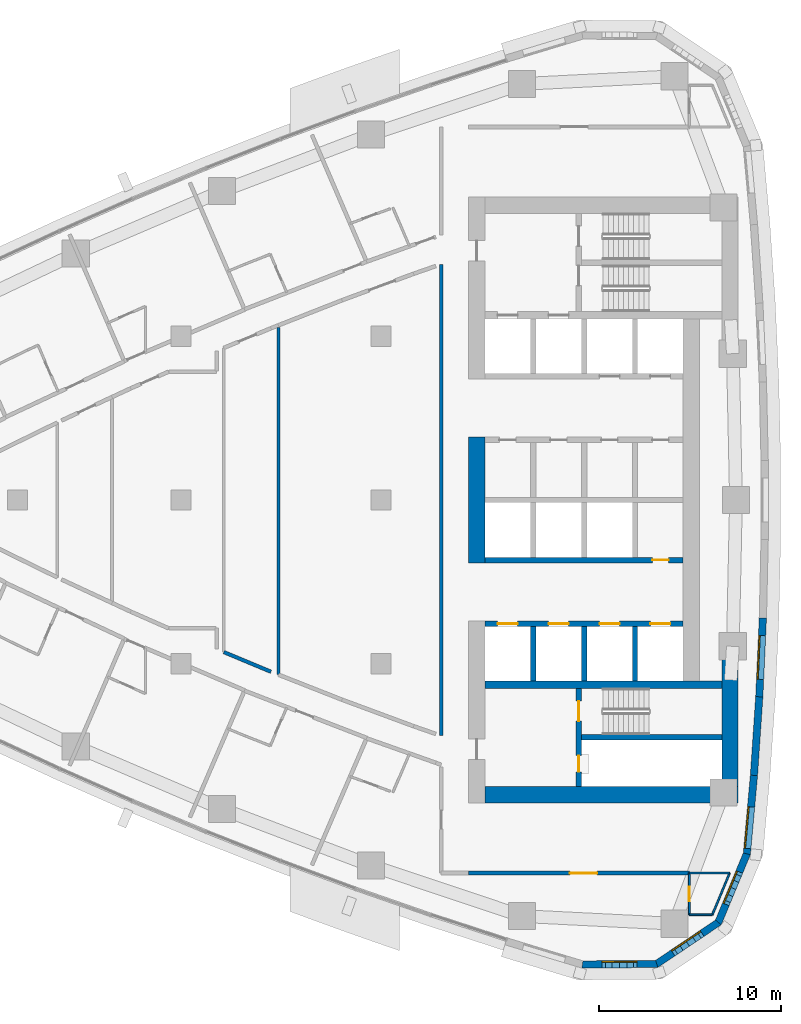
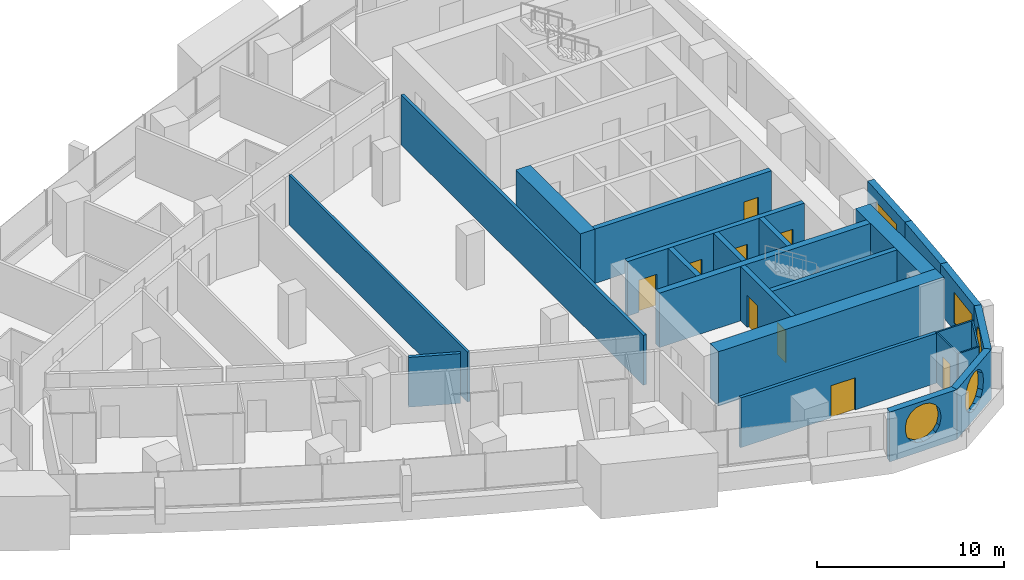
# One storey, part 10 of 17: 25 walls, 9 doors, 5 windows, 14 openings.
"""IFC4 building model written with IfcOpenShell, lengths in metres."""

from ifc_helpers import new_model, si_unit, direction, frame, frame_2d, origin, place, context, subcontext, project, spatial, polyline, rectangle, outline, extrude, material, layer, layer_set, type_object, element, fill, save


model = new_model("IFC4")

# Units and contexts
model_context = context("Model", 3, precision=1e-05, world=origin(), true_north=direction((0.0, 1.0)))
body_context = subcontext(model_context, "Body", "Model", "MODEL_VIEW")
ifc_project = project(units=[si_unit("LENGTHUNIT", "METRE"), si_unit("AREAUNIT", "SQUARE_METRE"), si_unit("VOLUMEUNIT", "CUBIC_METRE"), si_unit("PLANEANGLEUNIT", "RADIAN"), si_unit("MASSUNIT", "GRAM", prefix="KILO")], contexts=[model_context])

# Site, building, storey
site_placement = place(None, origin())
site = spatial("IfcSite", under=ifc_project, at=site_placement, CompositionType="ELEMENT")
building_placement = place(site_placement, origin())
building = spatial("IfcBuilding", under=site, at=building_placement, Name="Ostrand Prow Hotel Tower", CompositionType="ELEMENT")
storey_placement = place(building_placement, frame((0.0, 0.0, 137.300048828125)))
storey = spatial("IfcBuildingStorey", under=building, at=storey_placement, Name="L33", CompositionType="ELEMENT", Elevation=137.300048828125)

# Wall, opening, door
ifc_material_1 = material(Name="Concrete C70/85", Category="concrete")
ifc_layer_1 = layer(ifc_material_1, 0.300048828125)
ifc_layer_set_1 = layer_set([ifc_layer_1], Name="Concrete C70/85")
wall_type_1 = type_object("IfcWallType", Name="Core wall 300 C70/85", PredefinedType="SHEAR", material=ifc_layer_set_1)
wall_1_placement = place(storey_placement, frame((50.699951171875, -3.300048828125, 0.0), z_axis=(0.0, 0.0, 1.0), x_axis=(1.0, 0.0, 0.0)))
wall_1 = element("IfcWall", 1, at=wall_1_placement, inside=storey, type_object=wall_type_1, Name="Core wall PW-L1-S", PredefinedType="SHEAR", context=body_context, shape_type="SweptSolid", body=[
    extrude(rectangle(XDim=10.900146484375, YDim=0.300048828125, at=frame_2d((5.4501953125, 0.0))), origin(), (0.0, 0.0, 1.0), 3.550048828125),
])
opening_1_placement = place(wall_1_placement, frame((9.199951171875, 0.0, 0.0)))
opening_1 = element("IfcOpeningElement", 2, at=opening_1_placement, cuts=wall_1, Name="Opening FD2", PredefinedType="OPENING", context=body_context, shape_type="SweptSolid", body=[
    extrude(rectangle(XDim=0.89990234375, YDim=2.10009765625, at=frame_2d((0.449951171875, 1.050048828125))), frame((0.0, 0.159912109375, 0.0), z_axis=(0.0, -1.0, 0.0), x_axis=(1.0, 0.0, 0.0)), (0.0, 0.0, 1.0), 0.320068359375),
])
ifc_material_2 = material(Name="Steel fire door", Category="steel")
door_type_1 = type_object("IfcDoorType", Name="Fire door 900 EI120", OperationType="SINGLE_SWING_LEFT", PredefinedType="DOOR", material=ifc_material_2)
door_1_placement = place(opening_1_placement, origin())
door_1 = element("IfcDoor", 3, at=door_1_placement, inside=storey, type_object=door_type_1, Name="DOOR", OperationType="SINGLE_SWING_LEFT", OverallHeight=2.10009765625, OverallWidth=0.89990234375, PredefinedType="DOOR", context=body_context, shape_type="SweptSolid", body=[
    extrude(rectangle(XDim=0.89990234375, YDim=2.10009765625, at=frame_2d((0.449951171875, 1.050048828125))), frame((0.0, 0.02490234375, 0.0), z_axis=(0.0, -1.0, 0.0), x_axis=(1.0, 0.0, 0.0)), (0.0, 0.0, 1.0), 0.050048828125),
])
fill(opening_1, door_1)

# Wall, openings, doors
wall_2_placement = place(storey_placement, frame((50.699951171875, -6.800048828125, 0.0), z_axis=(0.0, 0.0, 1.0), x_axis=(1.0, 0.0, 0.0)))
wall_2 = element("IfcWall", 4, at=wall_2_placement, inside=storey, type_object=wall_type_1, Name="Core wall PW-L2-S", PredefinedType="SHEAR", context=body_context, shape_type="SweptSolid", body=[
    extrude(rectangle(XDim=10.900146484375, YDim=0.300048828125, at=frame_2d((5.4501953125, 0.0))), origin(), (0.0, 0.0, 1.0), 3.550048828125),
])
opening_2_placement = place(wall_2_placement, frame((0.699951171875, 0.0, 0.0)))
opening_2 = element("IfcOpeningElement", 5, at=opening_2_placement, cuts=wall_2, Name="Opening LD", PredefinedType="OPENING", context=body_context, shape_type="SweptSolid", body=[
    extrude(rectangle(XDim=1.10009765625, YDim=2.10009765625, at=frame_2d((0.550048828125, 1.050048828125))), frame((0.0, 0.159912109375, 0.0), z_axis=(0.0, -1.0, 0.0), x_axis=(1.0, 0.0, 0.0)), (0.0, 0.0, 1.0), 0.320068359375),
])
opening_3_placement = place(wall_2_placement, frame((3.5, 0.0, 0.0)))
opening_3 = element("IfcOpeningElement", 6, at=opening_3_placement, cuts=wall_2, Name="Opening LD", PredefinedType="OPENING", context=body_context, shape_type="SweptSolid", body=[
    extrude(rectangle(XDim=1.10009765625, YDim=2.10009765625, at=frame_2d((0.550048828125, 1.050048828125))), frame((0.0, 0.159912109375, 0.0), z_axis=(0.0, -1.0, 0.0), x_axis=(1.0, 0.0, 0.0)), (0.0, 0.0, 1.0), 0.320068359375),
])
opening_4_placement = place(wall_2_placement, frame((6.300048828125, 0.0, 0.0)))
opening_4 = element("IfcOpeningElement", 7, at=opening_4_placement, cuts=wall_2, Name="Opening LD", PredefinedType="OPENING", context=body_context, shape_type="SweptSolid", body=[
    extrude(rectangle(XDim=1.10009765625, YDim=2.10009765625, at=frame_2d((0.550048828125, 1.050048828125))), frame((0.0, 0.159912109375, 0.0), z_axis=(0.0, -1.0, 0.0), x_axis=(1.0, 0.0, 0.0)), (0.0, 0.0, 1.0), 0.320068359375),
])
opening_5_placement = place(wall_2_placement, frame((9.10009765625, 0.0, 0.0)))
opening_5 = element("IfcOpeningElement", 8, at=opening_5_placement, cuts=wall_2, Name="Opening LD", PredefinedType="OPENING", context=body_context, shape_type="SweptSolid", body=[
    extrude(rectangle(XDim=1.10009765625, YDim=2.10009765625, at=frame_2d((0.550048828125, 1.050048828125))), frame((0.0, 0.159912109375, 0.0), z_axis=(0.0, -1.0, 0.0), x_axis=(1.0, 0.0, 0.0)), (0.0, 0.0, 1.0), 0.320068359375),
])
ifc_material_3 = material(Name="Stainless steel door", Category="steel")
door_type_2 = type_object("IfcDoorType", Name="Lift landing door 1100", OperationType="DOUBLE_DOOR_SLIDING", PredefinedType="DOOR", material=ifc_material_3)
door_2_placement = place(opening_2_placement, origin())
door_2 = element("IfcDoor", 9, at=door_2_placement, inside=storey, type_object=door_type_2, Name="LIFT LANDING DOOR", OperationType="DOUBLE_DOOR_SLIDING", OverallHeight=2.10009765625, OverallWidth=1.10009765625, PredefinedType="DOOR", context=body_context, shape_type="SweptSolid", body=[
    extrude(rectangle(XDim=1.10009765625, YDim=2.10009765625, at=frame_2d((0.550048828125, 1.050048828125))), frame((0.0, 0.02490234375, 0.0), z_axis=(0.0, -1.0, 0.0), x_axis=(1.0, 0.0, 0.0)), (0.0, 0.0, 1.0), 0.050048828125),
])
fill(opening_2, door_2)
door_3_placement = place(opening_3_placement, origin())
door_3 = element("IfcDoor", 10, at=door_3_placement, inside=storey, type_object=door_type_2, Name="LIFT LANDING DOOR", OperationType="DOUBLE_DOOR_SLIDING", OverallHeight=2.10009765625, OverallWidth=1.10009765625, PredefinedType="DOOR", context=body_context, shape_type="SweptSolid", body=[
    extrude(rectangle(XDim=1.10009765625, YDim=2.10009765625, at=frame_2d((0.550048828125, 1.050048828125))), frame((0.0, 0.02490234375, 0.0), z_axis=(0.0, -1.0, 0.0), x_axis=(1.0, 0.0, 0.0)), (0.0, 0.0, 1.0), 0.050048828125),
])
fill(opening_3, door_3)
door_4_placement = place(opening_4_placement, origin())
door_4 = element("IfcDoor", 11, at=door_4_placement, inside=storey, type_object=door_type_2, Name="LIFT LANDING DOOR", OperationType="DOUBLE_DOOR_SLIDING", OverallHeight=2.10009765625, OverallWidth=1.10009765625, PredefinedType="DOOR", context=body_context, shape_type="SweptSolid", body=[
    extrude(rectangle(XDim=1.10009765625, YDim=2.10009765625, at=frame_2d((0.550048828125, 1.050048828125))), frame((0.0, 0.02490234375, 0.0), z_axis=(0.0, -1.0, 0.0), x_axis=(1.0, 0.0, 0.0)), (0.0, 0.0, 1.0), 0.050048828125),
])
fill(opening_4, door_4)
door_5_placement = place(opening_5_placement, origin())
door_5 = element("IfcDoor", 12, at=door_5_placement, inside=storey, type_object=door_type_2, Name="LIFT LANDING DOOR", OperationType="DOUBLE_DOOR_SLIDING", OverallHeight=2.10009765625, OverallWidth=1.10009765625, PredefinedType="DOOR", context=body_context, shape_type="SweptSolid", body=[
    extrude(rectangle(XDim=1.10009765625, YDim=2.10009765625, at=frame_2d((0.550048828125, 1.050048828125))), frame((0.0, 0.02490234375, 0.0), z_axis=(0.0, -1.0, 0.0), x_axis=(1.0, 0.0, 0.0)), (0.0, 0.0, 1.0), 0.050048828125),
])
fill(opening_5, door_5)

# Walls
for number, where, z_axis, x_axis, name in (
    (13, (53.35009765625, -9.949951171875, 0.0), (0.0, 0.0, 1.0), (0.0, 1.0, 0.0), "Core wall PW-R1-SA"),
    (14, (56.14990234375, -9.949951171875, 0.0), (0.0, 0.0, 1.0), (0.0, 1.0, 0.0), "Core wall PW-R2-SA"),
    (15, (58.949951171875, -9.949951171875, 0.0), (0.0, 0.0, 1.0), (0.0, 1.0, 0.0), "Core wall PW-R3-SA"),
):
    element("IfcWall", number, at=place(storey_placement, frame(where, z_axis=z_axis, x_axis=x_axis)), inside=storey, type_object=wall_type_1, Name=name, PredefinedType="SHEAR", context=body_context, shape_type="SweptSolid", body=[
        extrude(rectangle(XDim=3.0, YDim=0.300048828125, at=frame_2d((1.5, 0.0))), origin(), (0.0, 0.0, 1.0), 3.550048828125),
    ])

# Wall, openings, doors
wall_3_placement = place(storey_placement, frame((55.85009765625, -15.75, 0.0), z_axis=(0.0, 0.0, 1.0), x_axis=(0.0, 1.0, 0.0)))
wall_3 = element("IfcWall", 16, at=wall_3_placement, inside=storey, type_object=wall_type_1, Name="Core wall PW-VS", PredefinedType="SHEAR", context=body_context, shape_type="SweptSolid", body=[
    extrude(rectangle(XDim=5.39990234375, YDim=0.300048828125, at=frame_2d((2.699951171875, 0.0))), origin(), (0.0, 0.0, 1.0), 3.550048828125),
])
opening_6_placement = place(wall_3_placement, frame((3.60009765625, 0.0, 0.0)))
opening_6 = element("IfcOpeningElement", 17, at=opening_6_placement, cuts=wall_3, Name="Opening FD1", PredefinedType="OPENING", context=body_context, shape_type="SweptSolid", body=[
    extrude(rectangle(XDim=1.10009765625, YDim=2.10009765625, at=frame_2d((0.550048828125, 1.050048828125))), frame((0.0, 0.159912109375, 0.0), z_axis=(0.0, -1.0, 0.0), x_axis=(1.0, 0.0, 0.0)), (0.0, 0.0, 1.0), 0.320068359375),
])
opening_7_placement = place(wall_3_placement, frame((0.800048828125, 0.0, 0.0)))
opening_7 = element("IfcOpeningElement", 18, at=opening_7_placement, cuts=wall_3, Name="Opening FD2", PredefinedType="OPENING", context=body_context, shape_type="SweptSolid", body=[
    extrude(rectangle(XDim=0.89990234375, YDim=2.10009765625, at=frame_2d((0.449951171875, 1.050048828125))), frame((0.0, 0.159912109375, 0.0), z_axis=(0.0, -1.0, 0.0), x_axis=(1.0, 0.0, 0.0)), (0.0, 0.0, 1.0), 0.320068359375),
])
ifc_material_4 = material(Name="Steel fire door", Category="steel")
door_type_3 = type_object("IfcDoorType", Name="Fire door 1100 EI120", OperationType="SINGLE_SWING_RIGHT", PredefinedType="DOOR", material=ifc_material_4)
door_6_placement = place(opening_6_placement, origin())
door_6 = element("IfcDoor", 19, at=door_6_placement, inside=storey, type_object=door_type_3, Name="FIRE DOOR", OperationType="SINGLE_SWING_RIGHT", OverallHeight=2.10009765625, OverallWidth=1.10009765625, PredefinedType="DOOR", context=body_context, shape_type="SweptSolid", body=[
    extrude(rectangle(XDim=1.10009765625, YDim=2.10009765625, at=frame_2d((0.550048828125, 1.050048828125))), frame((0.0, 0.02490234375, 0.0), z_axis=(0.0, -1.0, 0.0), x_axis=(1.0, 0.0, 0.0)), (0.0, 0.0, 1.0), 0.050048828125),
])
fill(opening_6, door_6)
door_7_placement = place(opening_7_placement, origin())
door_7 = element("IfcDoor", 20, at=door_7_placement, inside=storey, type_object=door_type_1, Name="FIRE DOOR", OperationType="SINGLE_SWING_LEFT", OverallHeight=2.10009765625, OverallWidth=0.89990234375, PredefinedType="DOOR", context=body_context, shape_type="SweptSolid", body=[
    extrude(rectangle(XDim=0.89990234375, YDim=2.10009765625, at=frame_2d((0.449951171875, 1.050048828125))), frame((0.0, 0.02490234375, 0.0), z_axis=(0.0, -1.0, 0.0), x_axis=(1.0, 0.0, 0.0)), (0.0, 0.0, 1.0), 0.050048828125),
])
fill(opening_7, door_7)

# Walls
wall_4_placement = place(storey_placement, frame((56.0, -13.050048828125, 0.0), z_axis=(0.0, 0.0, 1.0), x_axis=(1.0, 0.0, 0.0)))
element("IfcWall", 21, at=wall_4_placement, inside=storey, type_object=wall_type_1, Name="Core wall PW-ST2R", PredefinedType="SHEAR", context=body_context, shape_type="SweptSolid", body=[
    extrude(rectangle(XDim=7.719970703125, YDim=0.300048828125, at=frame_2d((3.85986328125, 0.0))), origin(), (0.0, 0.0, 1.0), 3.550048828125),
])
ifc_material_5 = material(Name="Concrete C70/85", Category="concrete")
ifc_layer_2 = layer(ifc_material_5, 0.39990234375)
ifc_layer_set_2 = layer_set([ifc_layer_2], Name="Concrete C70/85")
wall_type_2 = type_object("IfcWallType", Name="Core wall 400 C70/85", PredefinedType="SHEAR", material=ifc_layer_set_2)
wall_5_placement = place(storey_placement, frame((50.699951171875, -10.14990234375, 0.0), z_axis=(0.0, 0.0, 1.0), x_axis=(1.0, 0.0, 0.0)))
element("IfcWall", 22, at=wall_5_placement, inside=storey, type_object=wall_type_2, Name="Core wall PW-BS", PredefinedType="SHEAR", context=body_context, shape_type="SweptSolid", body=[
    extrude(rectangle(XDim=13.02001953125, YDim=0.39990234375, at=frame_2d((6.510009765625, 0.0))), origin(), (0.0, 0.0, 1.0), 3.550048828125),
])
ifc_material_6 = material(Name="Concrete C70/85", Category="concrete")
ifc_layer_3 = layer(ifc_material_6, 0.89990234375)
ifc_layer_set_3 = layer_set([ifc_layer_3], Name="Concrete C70/85")
wall_type_3 = type_object("IfcWallType", Name="Core wall 900 C70/85", PredefinedType="SHEAR", material=ifc_layer_set_3)
wall_6_placement = place(storey_placement, frame((50.25, -3.449951171875, 0.0), z_axis=(0.0, 0.0, 1.0), x_axis=(0.0, 1.0, 0.0)))
element("IfcWall", 23, at=wall_6_placement, inside=storey, type_object=wall_type_3, Name="Core wall CW-W-C", PredefinedType="SHEAR", context=body_context, shape_type="SweptSolid", body=[
    extrude(rectangle(XDim=6.89990234375, YDim=0.89990234375, at=frame_2d((3.449951171875, 0.0))), origin(), (0.0, 0.0, 1.0), 3.550048828125),
])
wall_7_placement = place(storey_placement, frame((50.699951171875, -16.199951171875, 0.0), z_axis=(0.0, 0.0, 1.0), x_axis=(1.0, 0.0, 0.0)))
element("IfcWall", 24, at=wall_7_placement, inside=storey, type_object=wall_type_3, Name="Core wall CW-S", PredefinedType="SHEAR", context=body_context, shape_type="SweptSolid", body=[
    extrude(rectangle(XDim=13.920166015625, YDim=0.89990234375, at=frame_2d((6.9599609375, 0.0))), origin(), (0.0, 0.0, 1.0), 3.550048828125),
])
wall_8_placement = place(storey_placement, frame((64.169921875, -15.75, 0.0), z_axis=(0.0, 0.0, 1.0), x_axis=(0.0, 1.0, 0.0)))
element("IfcWall", 25, at=wall_8_placement, inside=storey, type_object=wall_type_3, Name="Core wall CW-E-S", PredefinedType="SHEAR", context=body_context, shape_type="SweptSolid", body=[
    extrude(rectangle(XDim=7.00537109375, YDim=0.89990234375, at=frame_2d((3.502685546875, 0.0))), origin(), (0.0, 0.0, 1.0), 3.550048828125),
])

# Wall, opening, door
ifc_material_7 = material(Name="Plasterboard partition")
ifc_layer_4 = layer(ifc_material_7, 0.10009765625)
ifc_layer_set_4 = layer_set([ifc_layer_4], Name="Plasterboard partition")
wall_type_4 = type_object("IfcWallType", Name="Partition 100 bathroom wall", PredefinedType="PARTITIONING", material=ifc_layer_set_4)
wall_9_placement = place(storey_placement, frame((61.9375, -22.800048828125, 0.0), z_axis=(0.0, 0.0, 1.0), x_axis=(0.0, 1.0, 0.0)))
wall_9 = element("IfcWall", 26, at=wall_9_placement, inside=storey, type_object=wall_type_4, Name="BATHROOM WALL", PredefinedType="PARTITIONING", context=body_context, shape_type="SweptSolid", body=[
    extrude(rectangle(XDim=2.300048828125, YDim=0.10009765625, at=frame_2d((1.14990234375, 0.0))), origin(), (0.0, 0.0, 1.0), 3.25),
])
opening_8_placement = place(wall_9_placement, frame((0.75, 0.0, 0.0)))
opening_8 = element("IfcOpeningElement", 27, at=opening_8_placement, cuts=wall_9, Name="Opening D2", PredefinedType="OPENING", context=body_context, shape_type="SweptSolid", body=[
    extrude(rectangle(XDim=0.800048828125, YDim=2.10009765625, at=frame_2d((0.39990234375, 1.050048828125))), frame((0.0, 0.06005859375, 0.0), z_axis=(0.0, -1.0, 0.0), x_axis=(1.0, 0.0, 0.0)), (0.0, 0.0, 1.0), 0.1201171875),
])
ifc_material_8 = material(Name="Timber door leaf", Category="wood")
door_type_4 = type_object("IfcDoorType", Name="Bathroom door 800", OperationType="SINGLE_SWING_LEFT", PredefinedType="DOOR", material=ifc_material_8)
door_8_placement = place(opening_8_placement, origin())
door_8 = element("IfcDoor", 28, at=door_8_placement, inside=storey, type_object=door_type_4, Name="DOOR", OperationType="SINGLE_SWING_LEFT", OverallHeight=2.10009765625, OverallWidth=0.800048828125, PredefinedType="DOOR", context=body_context, shape_type="SweptSolid", body=[
    extrude(rectangle(XDim=0.800048828125, YDim=2.10009765625, at=frame_2d((0.39990234375, 1.050048828125))), frame((0.0, 0.02490234375, 0.0), z_axis=(0.0, -1.0, 0.0), x_axis=(1.0, 0.0, 0.0)), (0.0, 0.0, 1.0), 0.050048828125),
])
fill(opening_8, door_8)

# Walls
wall_10_placement = place(storey_placement, frame((63.1982421875, -22.800048828125, 0.0), z_axis=(0.0, 0.0, 1.0), x_axis=(-1.0, 0.0, 0.0)))
element("IfcWall", 29, at=wall_10_placement, inside=storey, type_object=wall_type_4, Name="BATHROOM WALL", PredefinedType="PARTITIONING", context=body_context, shape_type="SweptSolid", body=[
    extrude(rectangle(XDim=1.2607421875, YDim=0.10009765625, at=frame_2d((0.63037109375, 0.0))), origin(), (0.0, 0.0, 1.0), 3.25),
])
wall_11_placement = place(storey_placement, frame((61.9375, -20.5048828125, 0.0), z_axis=(0.0, 0.0, 1.0), x_axis=(1.0, 0.0, 0.0)))
element("IfcWall", 30, at=wall_11_placement, inside=storey, type_object=wall_type_4, Name="BATHROOM WALL", PredefinedType="PARTITIONING", context=body_context, shape_type="SweptSolid", body=[
    extrude(rectangle(XDim=2.21484375, YDim=0.10009765625, at=frame_2d((1.107421875, 0.0))), origin(), (0.0, 0.0, 1.0), 3.25),
])
wall_12_placement = place(storey_placement, frame((64.15234375, -20.5048828125, 0.0), z_axis=(0.0, 0.0, 1.0), x_axis=(-0.383855043906, -0.923393364319, 0.0)))
element("IfcWall", 31, at=wall_12_placement, inside=storey, type_object=wall_type_4, Name="BATHROOM WALL", PredefinedType="PARTITIONING", context=body_context, shape_type="SweptSolid", body=[
    extrude(rectangle(XDim=2.485595703125, YDim=0.10009765625, at=frame_2d((1.24267578125, 0.0))), origin(), (0.0, 0.0, 1.0), 3.25),
])
ifc_material_9 = material(Name="Plasterboard partition")
ifc_layer_5 = layer(ifc_material_9, 0.14990234375)
ifc_layer_set_5 = layer_set([ifc_layer_5], Name="Plasterboard partition")
wall_type_5 = type_object("IfcWallType", Name="Partition 150 room partition", PredefinedType="PARTITIONING", material=ifc_layer_set_5)
wall_13_placement = place(storey_placement, frame((39.35302734375, -9.60205078125, 0.0), z_axis=(0.0, 0.0, 1.0), x_axis=(0.0, 1.0, 0.0)))
element("IfcWall", 32, at=wall_13_placement, inside=storey, type_object=wall_type_5, Name="ROOM PARTITION", PredefinedType="PARTITIONING", context=body_context, shape_type="SweptSolid", body=[
    extrude(rectangle(XDim=19.0966796875, YDim=0.14990234375, at=frame_2d((9.54833984375, 0.0))), origin(), (0.0, 0.0, 1.0), 3.25),
])
ifc_material_10 = material(Name="Plasterboard partition")
ifc_layer_6 = layer(ifc_material_10, 0.199951171875)
ifc_layer_set_6 = layer_set([ifc_layer_6], Name="Plasterboard partition")
wall_type_6 = type_object("IfcWallType", Name="Partition 200 corridor wall", PredefinedType="PARTITIONING", material=ifc_layer_set_6)
wall_14_placement = place(storey_placement, frame((38.943115234375, -9.44091796875, 0.0), z_axis=(0.0, 0.0, 1.0), x_axis=(-0.922997109092, 0.384806882224, 0.0)))
element("IfcWall", 33, at=wall_14_placement, inside=storey, type_object=wall_type_6, Name="CORRIDOR WALL", PredefinedType="PARTITIONING", context=body_context, shape_type="SweptSolid", body=[
    extrude(rectangle(XDim=2.80615234375, YDim=0.199951171875, at=frame_2d((1.403076171875, 0.0))), origin(), (0.0, 0.0, 1.0), 3.25),
])

# Wall, opening, door
wall_15_placement = place(storey_placement, frame((49.800048828125, -20.5048828125, 0.0), z_axis=(0.0, 0.0, 1.0), x_axis=(1.0, 0.0, 0.0)))
wall_15 = element("IfcWall", 34, at=wall_15_placement, inside=storey, type_object=wall_type_6, Name="CORRIDOR WALL", PredefinedType="PARTITIONING", context=body_context, shape_type="SweptSolid", body=[
    extrude(rectangle(XDim=12.132568359375, YDim=0.199951171875, at=frame_2d((6.06640625, 0.0))), origin(), (0.0, 0.0, 1.0), 3.25),
])
opening_9_placement = place(wall_15_placement, frame((5.56640625, 0.0, 0.0)))
opening_9 = element("IfcOpeningElement", 35, at=opening_9_placement, cuts=wall_15, Name="Opening D15", PredefinedType="OPENING", context=body_context, shape_type="SweptSolid", body=[
    extrude(rectangle(XDim=1.5, YDim=2.10009765625, at=frame_2d((0.75, 1.050048828125))), frame((0.0, 0.10986328125, 0.0), z_axis=(0.0, -1.0, 0.0), x_axis=(1.0, 0.0, 0.0)), (0.0, 0.0, 1.0), 0.219970703125),
])
ifc_material_11 = material(Name="Timber door leaf", Category="wood")
door_type_5 = type_object("IfcDoorType", Name="Double door 1500", OperationType="DOUBLE_DOOR_SINGLE_SWING", PredefinedType="DOOR", material=ifc_material_11)
door_9_placement = place(opening_9_placement, origin())
door_9 = element("IfcDoor", 36, at=door_9_placement, inside=storey, type_object=door_type_5, Name="DOOR", OperationType="DOUBLE_DOOR_SINGLE_SWING", OverallHeight=2.10009765625, OverallWidth=1.5, PredefinedType="DOOR", context=body_context, shape_type="SweptSolid", body=[
    extrude(rectangle(XDim=1.5, YDim=2.10009765625, at=frame_2d((0.75, 1.050048828125))), frame((0.0, 0.02490234375, 0.0), z_axis=(0.0, -1.0, 0.0), x_axis=(1.0, 0.0, 0.0)), (0.0, 0.0, 1.0), 0.050048828125),
])
fill(opening_9, door_9)

# Wall
wall_16_placement = place(storey_placement, frame((48.294921875, 12.955078125, 0.0), z_axis=(0.0, 0.0, 1.0), x_axis=(0.0, -1.0, 0.0)))
element("IfcWall", 37, at=wall_16_placement, inside=storey, type_object=wall_type_6, Name="CORRIDOR WALL", PredefinedType="PARTITIONING", context=body_context, shape_type="SweptSolid", body=[
    extrude(rectangle(XDim=25.91015625, YDim=0.199951171875, at=frame_2d((12.955078125, 0.0))), origin(), (0.0, 0.0, 1.0), 3.25),
])

# Wall, opening, window
ifc_material_12 = material(Name="Precast concrete C40/50", Category="concrete")
ifc_layer_7 = layer(ifc_material_12, 0.39990234375)
ifc_layer_set_7 = layer_set([ifc_layer_7], Name="Precast concrete C40/50")
wall_type_7 = type_object("IfcWallType", Name="Stone-faced precast wall 400 mm", PredefinedType="NOTDEFINED", material=ifc_layer_set_7)
wall_17_placement = place(storey_placement, frame((56.05810546875, -25.530517578125, 0.0), z_axis=(0.0, 0.0, 1.0), x_axis=(0.99996933771, 0.007830941131, 0.0)))
wall_17 = element("IfcWall", 38, at=wall_17_placement, inside=storey, type_object=wall_type_7, Name="Stone-faced wall back 2", PredefinedType="NOTDEFINED", context=body_context, shape_type="SweptSolid", body=[
    extrude(outline(polyline([(-0.030517578125, -0.199951171875), (4.14453125, -0.199951171875), (4.02392578125, 0.199951171875), (0.030517578125, 0.199951171875), (-0.030517578125, -0.199951171875)])), origin(), (0.0, 0.0, 1.0), 3.25),
])
opening_10_placement = place(wall_17_placement, frame((0.94189453125, 0.0, 0.60009765625)))
opening_10 = element("IfcOpeningElement", 39, at=opening_10_placement, cuts=wall_17, Name="Opening WP2", PredefinedType="OPENING", context=body_context, shape_type="SweptSolid", body=[
    extrude(outline(polyline([(0.0, 1.35009765625), (0.083740234375, 1.77099609375), (0.322265625, 2.127685546875), (0.678955078125, 2.3662109375), (1.10009765625, 2.449951171875), (1.52099609375, 2.3662109375), (1.877685546875, 2.127685546875), (2.1162109375, 1.77099609375), (2.199951171875, 1.35009765625), (2.199951171875, 1.10009765625), (2.1162109375, 0.678955078125), (1.877685546875, 0.322265625), (1.52099609375, 0.083740234375), (1.10009765625, 0.0), (0.678955078125, 0.083740234375), (0.322265625, 0.322265625), (0.083740234375, 0.678955078125), (0.0, 1.099853515625), (0.0, 1.35009765625)])), frame((0.0, 0.2099609375, 0.0), z_axis=(0.0, -1.0, 0.0), x_axis=(1.0, 0.0, 0.0)), (0.0, 0.0, 1.0), 0.419921875),
])
ifc_material_13 = material(Name="Insulated glass in bronze frame", Category="glass")
window_type_1 = type_object("IfcWindowType", Name="Round-ended prow lounge window 2200x2450", PartitioningType="SINGLE_PANEL", PredefinedType="WINDOW", material=ifc_material_13)
window_1_placement = place(opening_10_placement, origin())
window_1 = element("IfcWindow", 40, at=window_1_placement, inside=storey, type_object=window_type_1, Name="Window back 2.1", OverallHeight=2.449951171875, OverallWidth=2.199951171875, PartitioningType="SINGLE_PANEL", PredefinedType="WINDOW", context=body_context, shape_type="SweptSolid", body=[
    extrude(outline(polyline([(0.0, 1.35009765625), (0.083740234375, 1.77099609375), (0.322265625, 2.127685546875), (0.678955078125, 2.3662109375), (1.10009765625, 2.449951171875), (1.52099609375, 2.3662109375), (1.877685546875, 2.127685546875), (2.1162109375, 1.77099609375), (2.199951171875, 1.35009765625), (2.199951171875, 1.10009765625), (2.1162109375, 0.678955078125), (1.877685546875, 0.322265625), (1.52099609375, 0.083740234375), (1.10009765625, 0.0), (0.678955078125, 0.083740234375), (0.322265625, 0.322265625), (0.083740234375, 0.678955078125), (0.0, 1.099853515625), (0.0, 1.35009765625)])), frame((0.0, 0.169921875, 0.0), z_axis=(0.0, -1.0, 0.0), x_axis=(1.0, 0.0, 0.0)), (0.0, 0.0, 1.0), 0.06005859375),
])
fill(opening_10, window_1)

wall_18_placement = place(storey_placement, frame((60.14208984375, -25.49853515625, 0.0), z_axis=(0.0, 0.0, 1.0), x_axis=(0.829642062482, 0.558295663749, 0.0)))
wall_18 = element("IfcWall", 41, at=wall_18_placement, inside=storey, type_object=wall_type_7, Name="Stone-faced wall back 3", PredefinedType="NOTDEFINED", context=body_context, shape_type="SweptSolid", body=[
    extrude(outline(polyline([(-0.060302734375, -0.199951171875), (4.144287109375, -0.199951171875), (4.023681640625, 0.199951171875), (0.060302734375, 0.199951171875), (-0.060302734375, -0.199951171875)])), origin(), (0.0, 0.0, 1.0), 3.25),
])
opening_11_placement = place(wall_18_placement, frame((0.94189453125, 0.0, 0.60009765625)))
opening_11 = element("IfcOpeningElement", 42, at=opening_11_placement, cuts=wall_18, Name="Opening WP2", PredefinedType="OPENING", context=body_context, shape_type="SweptSolid", body=[
    extrude(outline(polyline([(0.0, 1.35009765625), (0.083740234375, 1.77099609375), (0.322265625, 2.127685546875), (0.678955078125, 2.3662109375), (1.10009765625, 2.449951171875), (1.52099609375, 2.3662109375), (1.877685546875, 2.127685546875), (2.1162109375, 1.77099609375), (2.199951171875, 1.35009765625), (2.199951171875, 1.10009765625), (2.1162109375, 0.678955078125), (1.877685546875, 0.322265625), (1.52099609375, 0.083740234375), (1.10009765625, 0.0), (0.678955078125, 0.083740234375), (0.322265625, 0.322265625), (0.083740234375, 0.678955078125), (0.0, 1.099853515625), (0.0, 1.35009765625)])), frame((0.0, 0.2099609375, 0.0), z_axis=(0.0, -1.0, 0.0), x_axis=(1.0, 0.0, 0.0)), (0.0, 0.0, 1.0), 0.419921875),
])
window_2_placement = place(opening_11_placement, origin())
window_2 = element("IfcWindow", 43, at=window_2_placement, inside=storey, type_object=window_type_1, Name="Window back 3.1", OverallHeight=2.449951171875, OverallWidth=2.199951171875, PartitioningType="SINGLE_PANEL", PredefinedType="WINDOW", context=body_context, shape_type="SweptSolid", body=[
    extrude(outline(polyline([(0.0, 1.35009765625), (0.083740234375, 1.77099609375), (0.322265625, 2.127685546875), (0.678955078125, 2.3662109375), (1.10009765625, 2.449951171875), (1.52099609375, 2.3662109375), (1.877685546875, 2.127685546875), (2.1162109375, 1.77099609375), (2.199951171875, 1.35009765625), (2.199951171875, 1.10009765625), (2.1162109375, 0.678955078125), (1.877685546875, 0.322265625), (1.52099609375, 0.083740234375), (1.10009765625, 0.0), (0.678955078125, 0.083740234375), (0.322265625, 0.322265625), (0.083740234375, 0.678955078125), (0.0, 1.099853515625), (0.0, 1.35009765625)])), frame((0.0, 0.169921875, 0.0), z_axis=(0.0, -1.0, 0.0), x_axis=(1.0, 0.0, 0.0)), (0.0, 0.0, 1.0), 0.06005859375),
])
fill(opening_11, window_2)

wall_19_placement = place(storey_placement, frame((63.5302734375, -23.218505859375, 0.0), z_axis=(0.0, 0.0, 1.0), x_axis=(0.383817293519, 0.923409056267, 0.0)))
wall_19 = element("IfcWall", 44, at=wall_19_placement, inside=storey, type_object=wall_type_7, Name="Stone-faced wall back 4", PredefinedType="NOTDEFINED", context=body_context, shape_type="SweptSolid", body=[
    extrude(outline(polyline([(-0.060302734375, -0.199951171875), (4.11474609375, -0.199951171875), (4.0537109375, 0.199951171875), (0.060302734375, 0.199951171875), (-0.060302734375, -0.199951171875)])), origin(), (0.0, 0.0, 1.0), 3.25),
])
opening_12_placement = place(wall_19_placement, frame((0.94189453125, 0.0, 0.60009765625)))
opening_12 = element("IfcOpeningElement", 45, at=opening_12_placement, cuts=wall_19, Name="Opening WP2", PredefinedType="OPENING", context=body_context, shape_type="SweptSolid", body=[
    extrude(outline(polyline([(0.0, 1.35009765625), (0.083740234375, 1.77099609375), (0.322265625, 2.127685546875), (0.678955078125, 2.3662109375), (1.10009765625, 2.449951171875), (1.52099609375, 2.3662109375), (1.877685546875, 2.127685546875), (2.1162109375, 1.77099609375), (2.199951171875, 1.35009765625), (2.199951171875, 1.10009765625), (2.1162109375, 0.678955078125), (1.877685546875, 0.322265625), (1.52099609375, 0.083740234375), (1.10009765625, 0.0), (0.678955078125, 0.083740234375), (0.322265625, 0.322265625), (0.083740234375, 0.678955078125), (0.0, 1.099853515625), (0.0, 1.35009765625)])), frame((0.0, 0.2099609375, 0.0), z_axis=(0.0, -1.0, 0.0), x_axis=(1.0, 0.0, 0.0)), (0.0, 0.0, 1.0), 0.419921875),
])
window_3_placement = place(opening_12_placement, origin())
window_3 = element("IfcWindow", 46, at=window_3_placement, inside=storey, type_object=window_type_1, Name="Window back 4.1", OverallHeight=2.449951171875, OverallWidth=2.199951171875, PartitioningType="SINGLE_PANEL", PredefinedType="WINDOW", context=body_context, shape_type="SweptSolid", body=[
    extrude(outline(polyline([(0.0, 1.35009765625), (0.083740234375, 1.77099609375), (0.322265625, 2.127685546875), (0.678955078125, 2.3662109375), (1.10009765625, 2.449951171875), (1.52099609375, 2.3662109375), (1.877685546875, 2.127685546875), (2.1162109375, 1.77099609375), (2.199951171875, 1.35009765625), (2.199951171875, 1.10009765625), (2.1162109375, 0.678955078125), (1.877685546875, 0.322265625), (1.52099609375, 0.083740234375), (1.10009765625, 0.0), (0.678955078125, 0.083740234375), (0.322265625, 0.322265625), (0.083740234375, 0.678955078125), (0.0, 1.099853515625), (0.0, 1.35009765625)])), frame((0.0, 0.169921875, 0.0), z_axis=(0.0, -1.0, 0.0), x_axis=(1.0, 0.0, 0.0)), (0.0, 0.0, 1.0), 0.06005859375),
])
fill(opening_12, window_3)

wall_20_placement = place(storey_placement, frame((65.097900390625, -19.447021484375, 0.0), z_axis=(0.0, 0.0, 1.0), x_axis=(0.090296735989, 0.995914905737, 0.0)))
wall_20 = element("IfcWall", 47, at=wall_20_placement, inside=storey, type_object=wall_type_7, Name="Stone-faced wall back 5", PredefinedType="NOTDEFINED", context=body_context, shape_type="SweptSolid", body=[
    extrude(outline(polyline([(-0.030517578125, -0.199951171875), (4.330810546875, -0.199951171875), (4.326416015625, 0.199951171875), (0.030517578125, 0.199951171875), (-0.030517578125, -0.199951171875)])), origin(), (0.0, 0.0, 1.0), 3.25),
])
opening_13_placement = place(wall_20_placement, frame((0.29296875, 0.0, 0.5)))
opening_13 = element("IfcOpeningElement", 48, at=opening_13_placement, cuts=wall_20, Name="Opening WA1-23", PredefinedType="OPENING", context=body_context, shape_type="SweptSolid", body=[
    extrude(rectangle(XDim=2.300048828125, YDim=2.0, at=frame_2d((1.14990234375, 1.0))), frame((0.0, 0.2099609375, 0.0), z_axis=(0.0, -1.0, 0.0), x_axis=(1.0, 0.0, 0.0)), (0.0, 0.0, 1.0), 0.419921875),
])
ifc_material_14 = material(Name="Insulated glass in bronze frame", Category="glass")
window_type_2 = type_object("IfcWindowType", Name="Amenity picture window 2300x2000", PartitioningType="SINGLE_PANEL", PredefinedType="WINDOW", material=ifc_material_14)
window_4_placement = place(opening_13_placement, origin())
window_4 = element("IfcWindow", 49, at=window_4_placement, inside=storey, type_object=window_type_2, Name="Window back 5.1", OverallHeight=2.0, OverallWidth=2.300048828125, PartitioningType="SINGLE_PANEL", PredefinedType="WINDOW", context=body_context, shape_type="SweptSolid", body=[
    extrude(rectangle(XDim=2.300048828125, YDim=2.0, at=frame_2d((1.14990234375, 1.0))), frame((0.0, 0.169921875, 0.0), z_axis=(0.0, -1.0, 0.0), x_axis=(1.0, 0.0, 0.0)), (0.0, 0.0, 1.0), 0.06005859375),
])
fill(opening_13, window_4)

# Wall
wall_21_placement = place(storey_placement, frame((65.48876953125, -15.135986328125, 0.0), z_axis=(0.0, 0.0, 1.0), x_axis=(0.067731727279, 0.997703569764, 0.0)))
element("IfcWall", 50, at=wall_21_placement, inside=storey, type_object=wall_type_7, Name="Stone-faced wall back 6", PredefinedType="NOTDEFINED", context=body_context, shape_type="SweptSolid", body=[
    extrude(outline(polyline([(-0.002197265625, -0.199951171875), (4.331298828125, -0.199951171875), (4.326904296875, 0.199951171875), (0.002197265625, 0.199951171875), (-0.002197265625, -0.199951171875)])), origin(), (0.0, 0.0, 1.0), 3.25),
])

# Wall, opening, window
wall_22_placement = place(storey_placement, frame((65.781982421875, -10.81689453125, 0.0), z_axis=(0.0, 0.0, 1.0), x_axis=(0.045228592312, 0.99897666361, 0.0)))
wall_22 = element("IfcWall", 51, at=wall_22_placement, inside=storey, type_object=wall_type_7, Name="Stone-faced wall back 7", PredefinedType="NOTDEFINED", context=body_context, shape_type="SweptSolid", body=[
    extrude(outline(polyline([(-0.002197265625, -0.199951171875), (4.331298828125, -0.199951171875), (4.326904296875, 0.199951171875), (0.002197265625, 0.199951171875), (-0.002197265625, -0.199951171875)])), origin(), (0.0, 0.0, 1.0), 3.25),
])
opening_14_placement = place(wall_22_placement, frame((0.964599609375, 0.0, 0.5)))
opening_14 = element("IfcOpeningElement", 52, at=opening_14_placement, cuts=wall_22, Name="Opening WA1", PredefinedType="OPENING", context=body_context, shape_type="SweptSolid", body=[
    extrude(rectangle(XDim=2.39990234375, YDim=2.0, at=frame_2d((1.199951171875, 1.0))), frame((0.0, 0.2099609375, 0.0), z_axis=(0.0, -1.0, 0.0), x_axis=(1.0, 0.0, 0.0)), (0.0, 0.0, 1.0), 0.419921875),
])
ifc_material_15 = material(Name="Insulated glass in bronze frame", Category="glass")
window_type_3 = type_object("IfcWindowType", Name="Amenity picture window 2400x2000", PartitioningType="SINGLE_PANEL", PredefinedType="WINDOW", material=ifc_material_15)
window_5_placement = place(opening_14_placement, origin())
window_5 = element("IfcWindow", 53, at=window_5_placement, inside=storey, type_object=window_type_3, Name="Window back 7.1", OverallHeight=2.0, OverallWidth=2.39990234375, PartitioningType="SINGLE_PANEL", PredefinedType="WINDOW", context=body_context, shape_type="SweptSolid", body=[
    extrude(rectangle(XDim=2.39990234375, YDim=2.0, at=frame_2d((1.199951171875, 1.0))), frame((0.0, 0.169921875, 0.0), z_axis=(0.0, -1.0, 0.0), x_axis=(1.0, 0.0, 0.0)), (0.0, 0.0, 1.0), 0.06005859375),
])
fill(opening_14, window_5)

save(model, "model.ifc")
